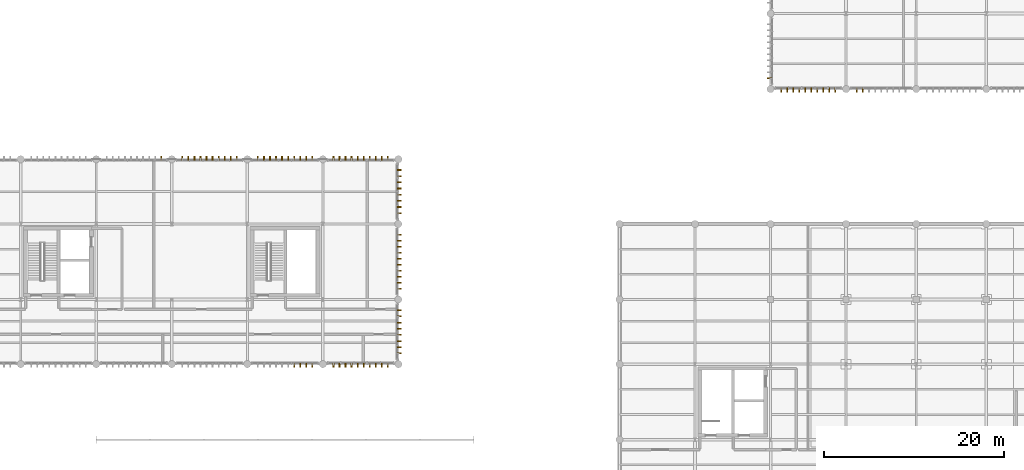
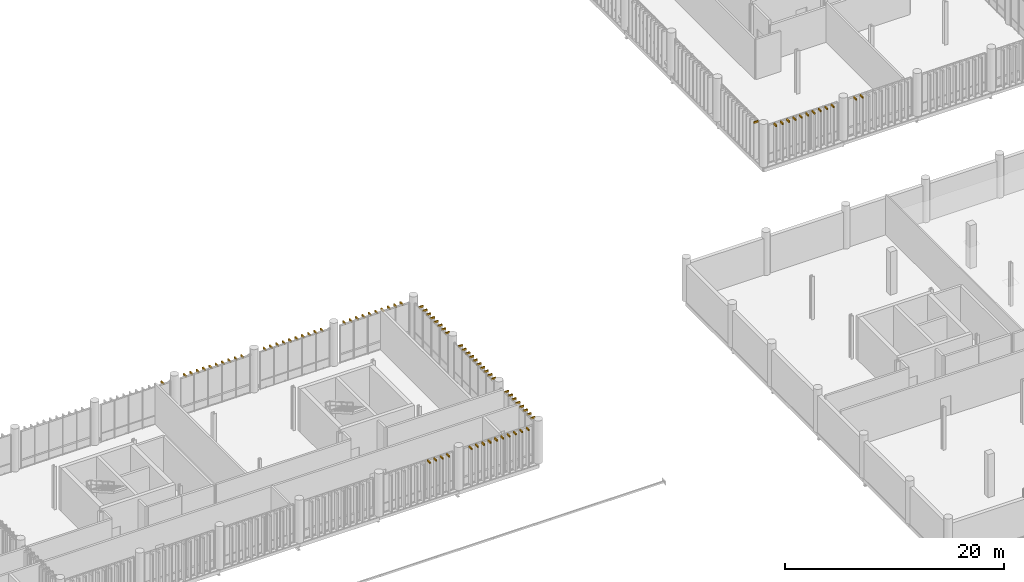
# One storey, part 93 of 94: 84 shading devices.
"""IFC4 building model written with IfcOpenShell, lengths in metres."""

from ifc_helpers import new_model, si_unit, direction, frame, origin_with_axes, origin_2d_with_axis, place, context, subcontext, project, spatial, rectangle, extrude, material, type_object, element, save


model = new_model("IFC4")

# Units and contexts
model_context = context("Model", 3, precision=1e-05, world=origin_with_axes(), true_north=direction((0.0, 1.0)))
body_context = subcontext(model_context, "Body", "Model", "MODEL_VIEW")
ifc_project = project(units=[si_unit("LENGTHUNIT", "METRE"), si_unit("AREAUNIT", "SQUARE_METRE"), si_unit("VOLUMEUNIT", "CUBIC_METRE"), si_unit("PLANEANGLEUNIT", "RADIAN"), si_unit("MASSUNIT", "GRAM", prefix="KILO"), si_unit("THERMODYNAMICTEMPERATUREUNIT", "KELVIN")], contexts=[model_context])

# Site, building, storey
site_placement = place(None, origin_with_axes())
site = spatial("IfcSite", under=ifc_project, at=site_placement, CompositionType="ELEMENT")
building_placement = place(site_placement, origin_with_axes())
building = spatial("IfcBuilding", under=site, at=building_placement, Name="Montbau Bow Law Courts", CompositionType="ELEMENT")
storey_placement = place(building_placement, frame((0.0, 0.0, 15.6), z_axis=(0.0, 0.0, 1.0), x_axis=(1.0, 0.0, 0.0)))
storey = spatial("IfcBuildingStorey", under=building, at=storey_placement, Name="L03", CompositionType="ELEMENT", Elevation=15.6)

# Shading devices
ifc_material_1 = material(Name="Freeze-Thaw Glazed Cream Ceramic Vertical Louvre", Category="masonry")
shading_device_type_1 = type_object("IfcShadingDeviceType", Name="SH-LVR-CRM", PredefinedType="USERDEFINED", material=ifc_material_1)
for number, where, z_axis, x_axis, name in (
    (1, (85.605, 38.89, 19.64), (0.0, 0.0, 1.0), (0.0, -1.0, 0.0), "LVR-L03-1605:shd_1605"),
    (2, (86.275, 38.89, 19.64), (0.0, 0.0, 1.0), (0.0, -1.0, 0.0), "LVR-L03-1606:shd_1606"),
    (3, (86.945, 38.89, 19.64), (0.0, 0.0, 1.0), (0.0, -1.0, 0.0), "LVR-L03-1607:shd_1607"),
    (4, (87.615, 38.89, 19.64), (0.0, 0.0, 1.0), (0.0, -1.0, 0.0), "LVR-L03-1608:shd_1608"),
    (5, (89.985, 38.89, 19.64), (0.0, 0.0, 1.0), (0.0, -1.0, 0.0), "LVR-L03-1609:shd_1609"),
    (6, (90.655, 38.89, 19.64), (0.0, 0.0, 1.0), (0.0, -1.0, 0.0), "LVR-L03-1610:shd_1610"),
    (7, (91.325, 38.89, 19.64), (0.0, 0.0, 1.0), (0.0, -1.0, 0.0), "LVR-L03-1611:shd_1611"),
    (8, (91.995, 38.89, 19.64), (0.0, 0.0, 1.0), (0.0, -1.0, 0.0), "LVR-L03-1612:shd_1612"),
    (9, (92.665, 38.89, 19.64), (0.0, 0.0, 1.0), (0.0, -1.0, 0.0), "LVR-L03-1613:shd_1613"),
    (10, (93.335, 38.89, 19.64), (0.0, 0.0, 1.0), (0.0, -1.0, 0.0), "LVR-L03-1614:shd_1614"),
    (11, (94.005, 38.89, 19.64), (0.0, 0.0, 1.0), (0.0, -1.0, 0.0), "LVR-L03-1615:shd_1615"),
    (12, (94.675, 38.89, 19.64), (0.0, 0.0, 1.0), (0.0, -1.0, 0.0), "LVR-L03-1616:shd_1616"),
    (13, (95.345, 38.89, 19.64), (0.0, 0.0, 1.0), (0.0, -1.0, 0.0), "LVR-L03-1617:shd_1617"),
    (14, (96.015, 38.89, 19.64), (0.0, 0.0, 1.0), (0.0, -1.0, 0.0), "LVR-L03-1618:shd_1618"),
    (15, (70.815, 61.91, 19.64), (0.0, 0.0, 1.0), (0.0, 1.0, 0.0), "LVR-L03-1648:shd_1648"),
    (16, (73.185, 61.91, 19.64), (0.0, 0.0, 1.0), (0.0, 1.0, 0.0), "LVR-L03-1649:shd_1649"),
    (17, (73.855, 61.91, 19.64), (0.0, 0.0, 1.0), (0.0, 1.0, 0.0), "LVR-L03-1650:shd_1650"),
    (18, (74.525, 61.91, 19.64), (0.0, 0.0, 1.0), (0.0, 1.0, 0.0), "LVR-L03-1651:shd_1651"),
    (19, (75.195, 61.91, 19.64), (0.0, 0.0, 1.0), (0.0, 1.0, 0.0), "LVR-L03-1652:shd_1652"),
    (20, (75.865, 61.91, 19.64), (0.0, 0.0, 1.0), (0.0, 1.0, 0.0), "LVR-L03-1653:shd_1653"),
    (21, (76.535, 61.91, 19.64), (0.0, 0.0, 1.0), (0.0, 1.0, 0.0), "LVR-L03-1654:shd_1654"),
    (22, (77.205, 61.91, 19.64), (0.0, 0.0, 1.0), (0.0, 1.0, 0.0), "LVR-L03-1655:shd_1655"),
    (23, (77.875, 61.91, 19.64), (0.0, 0.0, 1.0), (0.0, 1.0, 0.0), "LVR-L03-1656:shd_1656"),
    (24, (78.545, 61.91, 19.64), (0.0, 0.0, 1.0), (0.0, 1.0, 0.0), "LVR-L03-1657:shd_1657"),
    (25, (79.215, 61.91, 19.64), (0.0, 0.0, 1.0), (0.0, 1.0, 0.0), "LVR-L03-1658:shd_1658"),
    (26, (81.585, 61.91, 19.64), (0.0, 0.0, 1.0), (0.0, 1.0, 0.0), "LVR-L03-1659:shd_1659"),
    (27, (82.255, 61.91, 19.64), (0.0, 0.0, 1.0), (0.0, 1.0, 0.0), "LVR-L03-1660:shd_1660"),
    (28, (82.925, 61.91, 19.64), (0.0, 0.0, 1.0), (0.0, 1.0, 0.0), "LVR-L03-1661:shd_1661"),
    (29, (83.595, 61.91, 19.64), (0.0, 0.0, 1.0), (0.0, 1.0, 0.0), "LVR-L03-1662:shd_1662"),
    (30, (84.265, 61.91, 19.64), (0.0, 0.0, 1.0), (0.0, 1.0, 0.0), "LVR-L03-1663:shd_1663"),
    (31, (84.935, 61.91, 19.64), (0.0, 0.0, 1.0), (0.0, 1.0, 0.0), "LVR-L03-1664:shd_1664"),
    (32, (85.605, 61.91, 19.64), (0.0, 0.0, 1.0), (0.0, 1.0, 0.0), "LVR-L03-1665:shd_1665"),
    (33, (86.275, 61.91, 19.64), (0.0, 0.0, 1.0), (0.0, 1.0, 0.0), "LVR-L03-1666:shd_1666"),
    (34, (86.945, 61.91, 19.64), (0.0, 0.0, 1.0), (0.0, 1.0, 0.0), "LVR-L03-1667:shd_1667"),
    (35, (87.615, 61.91, 19.64), (0.0, 0.0, 1.0), (0.0, 1.0, 0.0), "LVR-L03-1668:shd_1668"),
    (36, (89.985, 61.91, 19.64), (0.0, 0.0, 1.0), (0.0, 1.0, 0.0), "LVR-L03-1669:shd_1669"),
    (37, (90.655, 61.91, 19.64), (0.0, 0.0, 1.0), (0.0, 1.0, 0.0), "LVR-L03-1670:shd_1670"),
    (38, (91.325, 61.91, 19.64), (0.0, 0.0, 1.0), (0.0, 1.0, 0.0), "LVR-L03-1671:shd_1671"),
    (39, (91.995, 61.91, 19.64), (0.0, 0.0, 1.0), (0.0, 1.0, 0.0), "LVR-L03-1672:shd_1672"),
    (40, (92.665, 61.91, 19.64), (0.0, 0.0, 1.0), (0.0, 1.0, 0.0), "LVR-L03-1673:shd_1673"),
    (41, (93.335, 61.91, 19.64), (0.0, 0.0, 1.0), (0.0, 1.0, 0.0), "LVR-L03-1674:shd_1674"),
    (42, (94.005, 61.91, 19.64), (0.0, 0.0, 1.0), (0.0, 1.0, 0.0), "LVR-L03-1675:shd_1675"),
    (43, (94.675, 61.91, 19.64), (0.0, 0.0, 1.0), (0.0, 1.0, 0.0), "LVR-L03-1676:shd_1676"),
    (44, (95.345, 61.91, 19.64), (0.0, 0.0, 1.0), (0.0, 1.0, 0.0), "LVR-L03-1677:shd_1677"),
    (45, (96.015, 61.91, 19.64), (0.0, 0.0, 1.0), (0.0, 1.0, 0.0), "LVR-L03-1678:shd_1678"),
    (46, (97.31, 40.201, 19.64), (0.0, 0.0, 1.0), (1.0, 0.0, 0.0), "LVR-L03-1705:shd_1705"),
    (47, (97.31, 40.886, 19.64), (0.0, 0.0, 1.0), (1.0, 0.0, 0.0), "LVR-L03-1706:shd_1706"),
    (48, (97.31, 41.572, 19.64), (0.0, 0.0, 1.0), (1.0, 0.0, 0.0), "LVR-L03-1707:shd_1707"),
    (49, (97.31, 42.257, 19.64), (0.0, 0.0, 1.0), (1.0, 0.0, 0.0), "LVR-L03-1708:shd_1708"),
    (50, (97.31, 42.943, 19.64), (0.0, 0.0, 1.0), (1.0, 0.0, 0.0), "LVR-L03-1709:shd_1709"),
    (51, (97.31, 43.628, 19.64), (0.0, 0.0, 1.0), (1.0, 0.0, 0.0), "LVR-L03-1710:shd_1710"),
    (52, (97.31, 44.314, 19.64), (0.0, 0.0, 1.0), (1.0, 0.0, 0.0), "LVR-L03-1711:shd_1711"),
    (53, (97.31, 44.999, 19.64), (0.0, 0.0, 1.0), (1.0, 0.0, 0.0), "LVR-L03-1712:shd_1712"),
    (54, (97.31, 47.385, 19.64), (0.0, 0.0, 1.0), (1.0, 0.0, 0.0), "LVR-L03-1713:shd_1713"),
    (55, (97.31, 48.055, 19.64), (0.0, 0.0, 1.0), (1.0, 0.0, 0.0), "LVR-L03-1714:shd_1714"),
    (56, (97.31, 48.725, 19.64), (0.0, 0.0, 1.0), (1.0, 0.0, 0.0), "LVR-L03-1715:shd_1715"),
    (57, (97.31, 49.395, 19.64), (0.0, 0.0, 1.0), (1.0, 0.0, 0.0), "LVR-L03-1716:shd_1716"),
    (58, (97.31, 50.065, 19.64), (0.0, 0.0, 1.0), (1.0, 0.0, 0.0), "LVR-L03-1717:shd_1717"),
    (59, (97.31, 50.735, 19.64), (0.0, 0.0, 1.0), (1.0, 0.0, 0.0), "LVR-L03-1718:shd_1718"),
    (60, (97.31, 51.405, 19.64), (0.0, 0.0, 1.0), (1.0, 0.0, 0.0), "LVR-L03-1719:shd_1719"),
    (61, (97.31, 52.075, 19.64), (0.0, 0.0, 1.0), (1.0, 0.0, 0.0), "LVR-L03-1720:shd_1720"),
    (62, (97.31, 52.745, 19.64), (0.0, 0.0, 1.0), (1.0, 0.0, 0.0), "LVR-L03-1721:shd_1721"),
    (63, (97.31, 53.415, 19.64), (0.0, 0.0, 1.0), (1.0, 0.0, 0.0), "LVR-L03-1722:shd_1722"),
    (64, (97.31, 55.801, 19.64), (0.0, 0.0, 1.0), (1.0, 0.0, 0.0), "LVR-L03-1723:shd_1723"),
    (65, (97.31, 56.486, 19.64), (0.0, 0.0, 1.0), (1.0, 0.0, 0.0), "LVR-L03-1724:shd_1724"),
    (66, (97.31, 57.172, 19.64), (0.0, 0.0, 1.0), (1.0, 0.0, 0.0), "LVR-L03-1725:shd_1725"),
    (67, (97.31, 57.857, 19.64), (0.0, 0.0, 1.0), (1.0, 0.0, 0.0), "LVR-L03-1726:shd_1726"),
    (68, (97.31, 58.543, 19.64), (0.0, 0.0, 1.0), (1.0, 0.0, 0.0), "LVR-L03-1727:shd_1727"),
    (69, (97.31, 59.228, 19.64), (0.0, 0.0, 1.0), (1.0, 0.0, 0.0), "LVR-L03-1728:shd_1728"),
    (70, (97.31, 59.914, 19.64), (0.0, 0.0, 1.0), (1.0, 0.0, 0.0), "LVR-L03-1729:shd_1729"),
    (71, (97.31, 60.599, 19.64), (0.0, 0.0, 1.0), (1.0, 0.0, 0.0), "LVR-L03-1730:shd_1730"),
):
    element("IfcShadingDevice", number, at=place(None, frame(where, z_axis=z_axis, x_axis=x_axis)), inside=storey, type_object=shading_device_type_1, Name=name, ObjectType="LOUVRE", PredefinedType="USERDEFINED", context=body_context, shape_type="SweptSolid", body=[
        extrude(rectangle(XDim=0.48, YDim=0.12, at=origin_2d_with_axis()), origin_with_axes(), (0.0, 0.0, 1.0), 0.18),
    ])
ifc_material_2 = material(Name="Freeze-Thaw Glazed Slate-Grey Ceramic Vertical Louvre", Category="masonry")
shading_device_type_2 = type_object("IfcShadingDeviceType", Name="SH-LVR-SLT", PredefinedType="USERDEFINED", material=ifc_material_2)
for number, where, z_axis, x_axis, name in (
    (72, (139.785, 69.49, 19.64), (0.0, 0.0, 1.0), (0.0, -1.0, 0.0), "LVR-L03-2750:shd_2750"),
    (73, (140.455, 69.49, 19.64), (0.0, 0.0, 1.0), (0.0, -1.0, 0.0), "LVR-L03-2751:shd_2751"),
    (74, (141.125, 69.49, 19.64), (0.0, 0.0, 1.0), (0.0, -1.0, 0.0), "LVR-L03-2752:shd_2752"),
    (75, (141.795, 69.49, 19.64), (0.0, 0.0, 1.0), (0.0, -1.0, 0.0), "LVR-L03-2753:shd_2753"),
    (76, (142.465, 69.49, 19.64), (0.0, 0.0, 1.0), (0.0, -1.0, 0.0), "LVR-L03-2754:shd_2754"),
    (77, (143.135, 69.49, 19.64), (0.0, 0.0, 1.0), (0.0, -1.0, 0.0), "LVR-L03-2755:shd_2755"),
    (78, (143.805, 69.49, 19.64), (0.0, 0.0, 1.0), (0.0, -1.0, 0.0), "LVR-L03-2756:shd_2756"),
    (79, (144.475, 69.49, 19.64), (0.0, 0.0, 1.0), (0.0, -1.0, 0.0), "LVR-L03-2757:shd_2757"),
    (80, (145.145, 69.49, 19.64), (0.0, 0.0, 1.0), (0.0, -1.0, 0.0), "LVR-L03-2758:shd_2758"),
    (81, (145.815, 69.49, 19.64), (0.0, 0.0, 1.0), (0.0, -1.0, 0.0), "LVR-L03-2759:shd_2759"),
    (82, (148.192, 69.49, 19.64), (0.0, 0.0, 1.0), (0.0, -1.0, 0.0), "LVR-L03-2760:shd_2760"),
    (83, (148.869, 69.49, 19.64), (0.0, 0.0, 1.0), (0.0, -1.0, 0.0), "LVR-L03-2761:shd_2761"),
    (84, (138.49, 70.785, 19.64), (0.0, 0.0, 1.0), (-1.0, 0.0, 0.0), "LVR-L03-2822:shd_2822"),
):
    element("IfcShadingDevice", number, at=place(None, frame(where, z_axis=z_axis, x_axis=x_axis)), inside=storey, type_object=shading_device_type_2, Name=name, ObjectType="LOUVRE", PredefinedType="USERDEFINED", context=body_context, shape_type="SweptSolid", body=[
        extrude(rectangle(XDim=0.48, YDim=0.12, at=origin_2d_with_axis()), origin_with_axes(), (0.0, 0.0, 1.0), 0.18),
    ])

save(model, "model.ifc")
